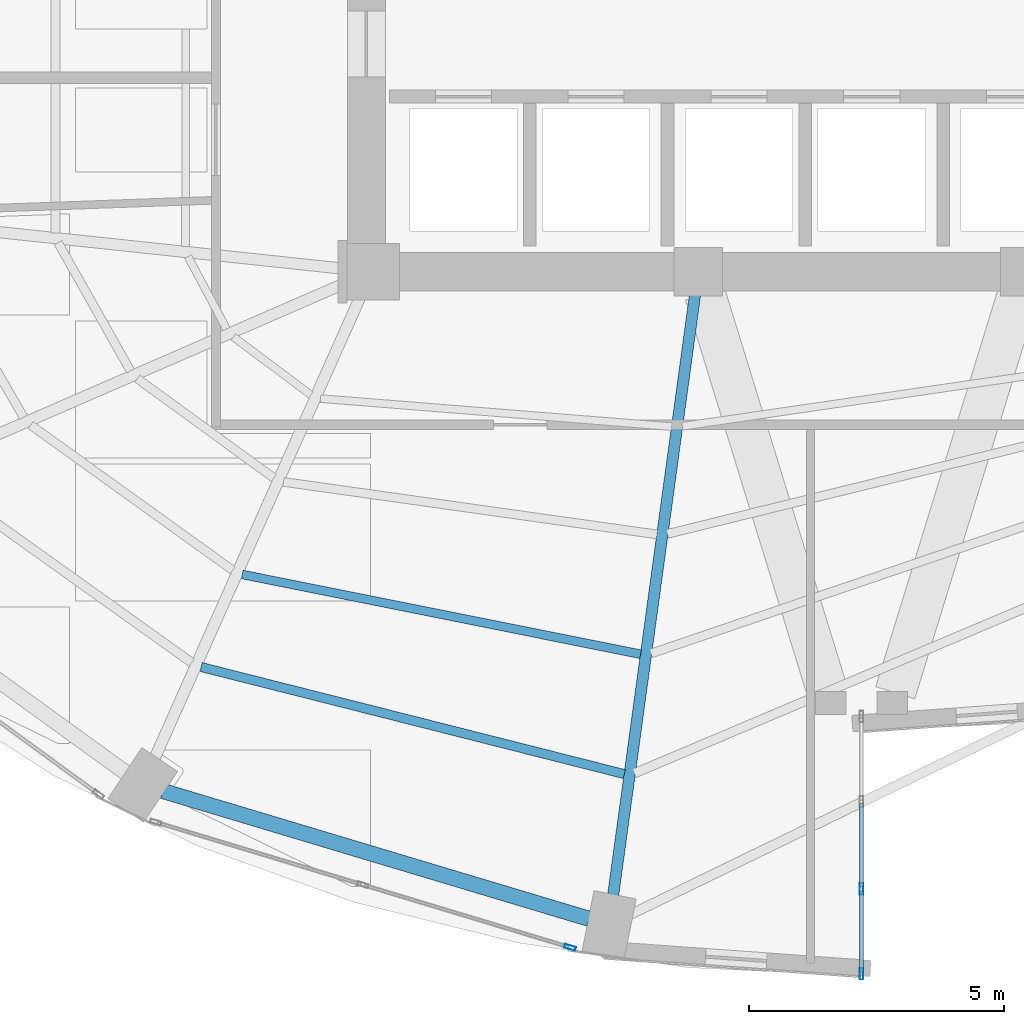
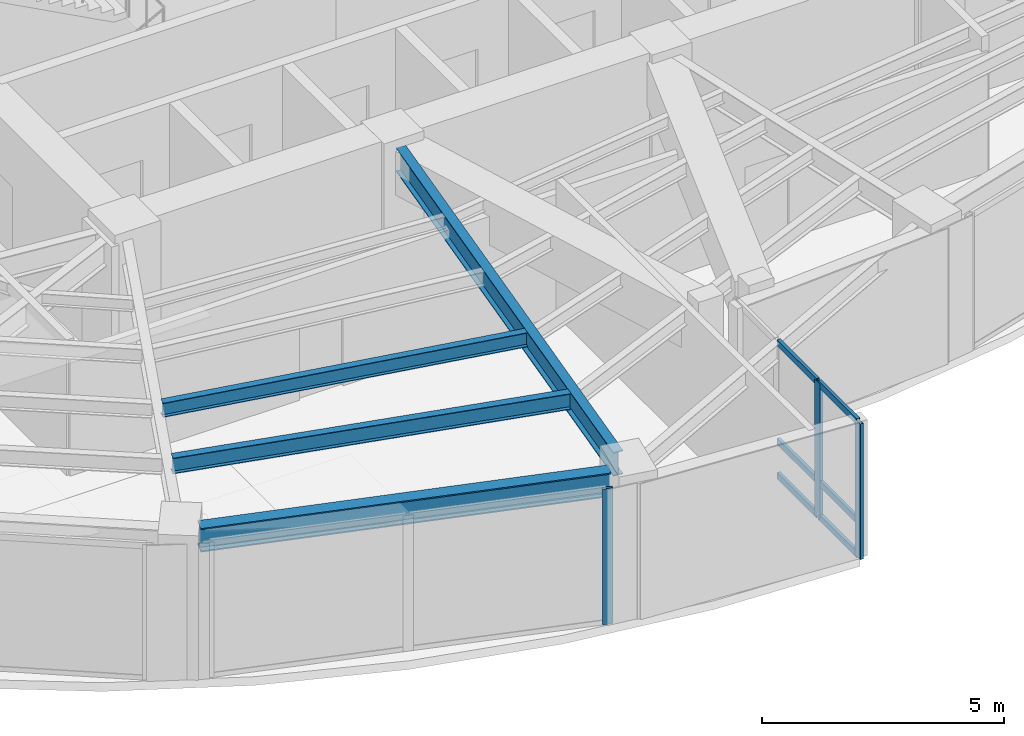
# One storey, part 5 of 24: 9 members, 4 beams, 2 elements without a shape of their own.
"""IFC4 building model written with IfcOpenShell, lengths in metres."""

import ifcopenshell
import ifcopenshell.guid

model = None  # the IFC model being written
_history = None  # IfcOwnerHistory: only IFC2X3 demands one
_inside = {}  # id of a spatial element -> (the spatial element, [elements in it])
_under = {}  # id of a project, library or spatial element -> (it, [spatial elements below it])
_declared = {}  # id of a project -> (the project, [libraries it declares])
_typed = {}  # id of a type object -> (the type object, [elements of that type])
_made_of = {}  # id of a material, layer set ... -> (it, [elements and type objects made of it])


def new_model(schema):
    """Start an empty IFC model of exactly this schema.

    Asked for "IFC4X3", IfcOpenShell would pick the latest addendum, in which some entities
    have other attributes; the version numbers below select the first issue.
    IFC2X3 requires an IfcOwnerHistory on every rooted entity: one is made here for all.
    """
    global model, _history
    if schema == "IFC4X3":
        model = ifcopenshell.file(schema_version=(4, 3, 0, 0))
    else:
        model = ifcopenshell.file(schema=schema)
    _inside.clear()
    _under.clear()
    _declared.clear()
    _typed.clear()
    _made_of.clear()
    _history = None
    if model.schema == "IFC2X3":
        org = make("IfcOrganization", Name="unknown")
        user = make(
            "IfcPersonAndOrganization",
            ThePerson=make("IfcPerson", FamilyName="unknown"),
            TheOrganization=org,
        )
        app = make(
            "IfcApplication",
            ApplicationDeveloper=org,
            Version="unknown",
            ApplicationFullName="unknown",
            ApplicationIdentifier="unknown",
        )
        _history = make(
            "IfcOwnerHistory",
            OwningUser=user,
            OwningApplication=app,
            ChangeAction="ADDED",
            CreationDate=0,
        )
    return model


def make(cls, **values):
    """One entity of the class cls with the attributes given. An attribute that is None is left unset."""
    return model.create_entity(
        cls, **{name: value for name, value in values.items() if value is not None}
    )


def rooted(cls, **values):
    """An entity with a GlobalId (a new one), such as an element, a storey or a relation."""
    return make(cls, GlobalId=ifcopenshell.guid.new(), OwnerHistory=_history, **values)


def si_unit(unit_type, name, prefix=None):
    """IfcSIUnit, for example si_unit("LENGTHUNIT", "METRE", prefix="MILLI")."""
    return make("IfcSIUnit", UnitType=unit_type, Prefix=prefix, Name=name)


def assignment(units):
    """IfcUnitAssignment: the units of a project."""
    return None if units is None else make("IfcUnitAssignment", Units=units)


def point(xyz):
    """IfcCartesianPoint."""
    return None if xyz is None else make("IfcCartesianPoint", Coordinates=xyz)


def direction(xyz):
    """IfcDirection."""
    return None if xyz is None else make("IfcDirection", DirectionRatios=xyz)


def frame(location, z_axis=None, x_axis=None):
    """IfcAxis2Placement3D, a coordinate frame: its origin and axes. An axis left out is left unset."""
    return make(
        "IfcAxis2Placement3D",
        Location=point(location),
        Axis=direction(z_axis),
        RefDirection=direction(x_axis),
    )


def frame_2d(location, x_axis=None):
    """IfcAxis2Placement2D, a coordinate frame in the plane: its origin and x axis."""
    return make(
        "IfcAxis2Placement2D", Location=point(location), RefDirection=direction(x_axis)
    )


def origin():
    """The frame at (0, 0, 0) with its axes left unset."""
    return frame((0.0, 0.0, 0.0))


def origin_2d():
    """The frame at (0, 0) in the plane with its x axis left unset."""
    return frame_2d((0.0, 0.0))


def place(relative_to, where):
    """IfcLocalPlacement: puts the frame where relative to a parent placement (None: the world)."""
    return make(
        "IfcLocalPlacement", PlacementRelTo=relative_to, RelativePlacement=where
    )


def context(
    kind, dimensions, precision=None, world=None, true_north=None, identifier=None
):
    """IfcGeometricRepresentationContext, for example the 3D "Model" context."""
    return make(
        "IfcGeometricRepresentationContext",
        ContextIdentifier=identifier,
        ContextType=kind,
        CoordinateSpaceDimension=dimensions,
        Precision=precision,
        WorldCoordinateSystem=world,
        TrueNorth=true_north,
    )


def subcontext(parent, identifier, kind, view, scale=None):
    """IfcGeometricRepresentationSubContext, for example "Body" below "Model"."""
    return make(
        "IfcGeometricRepresentationSubContext",
        ContextIdentifier=identifier,
        ContextType=kind,
        ParentContext=parent,
        TargetScale=scale,
        TargetView=view,
    )


def project(units=None, contexts=None):
    """IfcProject with its units and contexts."""
    return rooted(
        "IfcProject",
        Name="project",
        RepresentationContexts=contexts,
        UnitsInContext=assignment(units),
    )


def spatial(cls, under=None, at=None, **own):
    """A site, building, storey or space (cls), placed at a placement, below another one or the project."""
    s = rooted(cls, ObjectPlacement=at, **own)
    if under is not None:
        _under.setdefault(under.id(), (under, []))[1].append(s)
    return s


def profile(cls, at=None, kind="AREA", **sizes):
    """A parametric profile (cls). Its sizes go by their IFC names, for example OverallWidth=200.0."""
    return make(cls, ProfileType=kind, Position=at, **sizes)


def hollow_rectangle(**sizes):
    """IfcRectangleHollowProfileDef."""
    return profile("IfcRectangleHollowProfileDef", **sizes)


def i_section(**sizes):
    """IfcIShapeProfileDef."""
    return profile("IfcIShapeProfileDef", **sizes)


def extrude(swept, where, along, depth):
    """IfcExtrudedAreaSolid: the profile swept, set in the frame where, extruded along a direction by depth."""
    return make(
        "IfcExtrudedAreaSolid",
        SweptArea=swept,
        Position=where,
        ExtrudedDirection=direction(along),
        Depth=depth,
    )


def shape(context_of_items, identifier, shape_type, items):
    """IfcShapeRepresentation: the items that make up one representation, for example the "Body"."""
    return make(
        "IfcShapeRepresentation",
        ContextOfItems=context_of_items,
        RepresentationIdentifier=identifier,
        RepresentationType=shape_type,
        Items=items,
    )


def material(Name=None, Category=None):
    """IfcMaterial."""
    return make("IfcMaterial", Name=Name, Category=Category)


def layer(
    of_material, thickness, ventilated=None, Name=None, Category=None, Priority=None
):
    """IfcMaterialLayer: one layer of a wall or slab, of a material (None: an air gap)."""
    return make(
        "IfcMaterialLayer",
        Material=of_material,
        LayerThickness=thickness,
        IsVentilated=ventilated,
        Name=Name,
        Category=Category,
        Priority=Priority,
    )


def layer_set(layers, Name=None):
    """IfcMaterialLayerSet."""
    return make("IfcMaterialLayerSet", MaterialLayers=layers, LayerSetName=Name)


def material_profile(
    of_material, cross_section, Name=None, Category=None, Priority=None
):
    """IfcMaterialProfile: a cross section and its material."""
    return make(
        "IfcMaterialProfile",
        Name=Name,
        Material=of_material,
        Profile=cross_section,
        Priority=Priority,
        Category=Category,
    )


def profile_set(profiles, Name=None, composite=None):
    """IfcMaterialProfileSet."""
    return make(
        "IfcMaterialProfileSet",
        Name=Name,
        MaterialProfiles=profiles,
        CompositeProfile=composite,
    )


def made_of(thing, what):
    """Note that an element or type object is made of a material, layer set ...; save() writes the relation."""
    if what is not None:
        _made_of.setdefault(what.id(), (what, []))[1].append(thing)
    return thing


def type_object(cls, material=None, **own):
    """A type object (cls), such as IfcWallType, which elements share."""
    return made_of(rooted(cls, **own), material)


def element(
    cls,
    number,
    at=None,
    inside=None,
    cuts=None,
    type_object=None,
    material=None,
    context=None,
    identifier="Body",
    shape_type=None,
    held_by="IfcProductDefinitionShape",
    body=None,
    shapes=None,
    **own,
):
    """One element of the class cls, such as IfcWall. Its Tag is "e" and its number.

    at: its placement. inside: the storey or other place that contains it. cuts: it is an
    opening in that element (IfcRelVoidsElement). A single representation is given by context,
    identifier, shape_type and body (its items); several are given by shapes. held_by: the class
    of the entity that holds the representations. save() writes the other relations.
    """
    e = rooted(cls, Tag="e%d" % number, ObjectPlacement=at, **own)
    if body is not None:
        shapes = [shape(context, identifier, shape_type, body)]
    if shapes is not None:
        e.Representation = make(held_by, Representations=shapes)
    if inside is not None:
        _inside.setdefault(inside.id(), (inside, []))[1].append(e)
    if cuts is not None:
        rooted(
            "IfcRelVoidsElement", RelatingBuildingElement=cuts, RelatedOpeningElement=e
        )
    if type_object is not None:
        _typed.setdefault(type_object.id(), (type_object, []))[1].append(e)
    return made_of(e, material)


def aggregate(whole, parts):
    """IfcRelAggregates: a whole, such as a stair, and the parts it consists of."""
    return rooted("IfcRelAggregates", RelatingObject=whole, RelatedObjects=parts)


def save(model, path):
    """Write the relations noted so far, then the file.

    IfcRelAggregates (storeys below a building ...), IfcRelContainedInSpatialStructure (elements
    in a storey), IfcRelDefinesByType, IfcRelAssociatesMaterial and IfcRelDeclares: one each for
    every whole, place, type object, material and project.
    """
    for whole, parts in _under.values():
        aggregate(whole, parts)
    for where, things in _inside.values():
        rooted(
            "IfcRelContainedInSpatialStructure",
            RelatedElements=things,
            RelatingStructure=where,
        )
    for kind, things in _typed.values():
        rooted("IfcRelDefinesByType", RelatedObjects=things, RelatingType=kind)
    for what, things in _made_of.values():
        rooted("IfcRelAssociatesMaterial", RelatedObjects=things, RelatingMaterial=what)
    for by, libraries in _declared.values():
        rooted("IfcRelDeclares", RelatingContext=by, RelatedDefinitions=libraries)
    model.write(path)


model = new_model("IFC4")

# Units and contexts
model_context = context("Model", 3, precision=1e-05, world=origin(), true_north=direction((0.0, 1.0)))
body_context = subcontext(model_context, "Body", "Model", "MODEL_VIEW")
ifc_project = project(units=[si_unit("LENGTHUNIT", "METRE"), si_unit("AREAUNIT", "SQUARE_METRE"), si_unit("VOLUMEUNIT", "CUBIC_METRE"), si_unit("PLANEANGLEUNIT", "RADIAN"), si_unit("MASSUNIT", "GRAM", prefix="KILO")], contexts=[model_context])

# Site, building, storey
site_placement = place(None, origin())
site = spatial("IfcSite", under=ifc_project, at=site_placement, CompositionType="ELEMENT")
building_placement = place(site_placement, origin())
building = spatial("IfcBuilding", under=site, at=building_placement, Name="Lazwardi Medical Tower", CompositionType="ELEMENT")
storey_placement = place(building_placement, frame((0.0, 0.0, 99.98388671875)))
storey = spatial("IfcBuildingStorey", under=building, at=storey_placement, Name="L25", CompositionType="ELEMENT", Elevation=99.98388671875)

# Beams
ifc_material_1 = material(Name="Steel S355", Category="steel")
ifc_material_profile_1 = material_profile(ifc_material_1, i_section(OverallWidth=0.300048828125, OverallDepth=0.60009765625, WebThickness=0.015380859375, FlangeThickness=0.030029296875, at=origin_2d()), Name="HEB 600")
ifc_profile_set_1 = profile_set([ifc_material_profile_1], Name="Steel S355")
beam_type_1 = type_object("IfcBeamType", Name="BM-RB-Z2", PredefinedType="BEAM", material=ifc_profile_set_1)
beam_1_placement = place(storey_placement, frame((22.30908203125, 10.224609375, 3.128173828125), z_axis=(0.957879438442, -0.287170648587, 0.0), x_axis=(0.287170648587, 0.957879438442, 0.0)))
element("IfcBeam", 1, at=beam_1_placement, inside=storey, type_object=beam_type_1, Name="Ring beam RB-03 B15 L25", PredefinedType="BEAM", context=body_context, shape_type="SweptSolid", body=[
    extrude(i_section(OverallWidth=0.300048828125, OverallDepth=0.60009765625, WebThickness=0.015380859375, FlangeThickness=0.030029296875, at=origin_2d()), origin(), (0.0, 0.0, 1.0), 8.719970703125),
])
ifc_material_profile_2 = material_profile(ifc_material_1, i_section(OverallWidth=0.219970703125, OverallDepth=0.60009765625, WebThickness=0.011962890625, FlangeThickness=0.01904296875, at=origin_2d()), Name="IPE 600")
ifc_profile_set_2 = profile_set([ifc_material_profile_2], Name="Steel S355")
beam_type_2 = type_object("IfcBeamType", Name="BM-RG-W1", PredefinedType="BEAM", material=ifc_profile_set_2)
beam_2_placement = place(storey_placement, frame((31.1328125, 8.17724609375, 3.128173828125), z_axis=(0.135147148002, 0.990825538825, 0.0), x_axis=(-0.990825538825, 0.135147148002, 0.0)))
element("IfcBeam", 2, at=beam_2_placement, inside=storey, type_object=beam_type_2, Name="Radial girder RG-02 R16 L25", PredefinedType="BEAM", context=body_context, shape_type="SweptSolid", body=[
    extrude(i_section(OverallWidth=0.219970703125, OverallDepth=0.60009765625, WebThickness=0.011962890625, FlangeThickness=0.01904296875, at=origin_2d()), origin(), (0.0, 0.0, 1.0), 11.875732421875),
])
ifc_material_profile_3 = material_profile(ifc_material_1, i_section(OverallWidth=0.179931640625, OverallDepth=0.39990234375, WebThickness=0.008544921875, FlangeThickness=0.013427734375, at=origin_2d()), Name="IPE 400")
ifc_profile_set_3 = profile_set([ifc_material_profile_3], Name="Steel S355")
beam_type_3 = type_object("IfcBeamType", Name="BM-SJ-01", PredefinedType="JOIST", material=ifc_profile_set_3)
beam_3_placement = place(storey_placement, frame((23.060302734375, 12.654296875, 3.22802734375), z_axis=(0.96945186753, -0.245281626997, 0.0), x_axis=(0.245281626997, 0.96945186753, 0.0)))
element("IfcBeam", 3, at=beam_3_placement, inside=storey, type_object=beam_type_3, Name="Secondary joist SJ-01 R1 B15 L25", PredefinedType="JOIST", context=body_context, shape_type="SweptSolid", body=[
    extrude(i_section(OverallWidth=0.179931640625, OverallDepth=0.39990234375, WebThickness=0.008544921875, FlangeThickness=0.013427734375, at=origin_2d()), origin(), (0.0, 0.0, 1.0), 8.552978515625),
])
ifc_material_profile_4 = material_profile(ifc_material_1, i_section(OverallWidth=0.169921875, OverallDepth=0.360107421875, WebThickness=0.008056640625, FlangeThickness=0.0126953125, at=origin_2d()), Name="IPE 360")
ifc_profile_set_4 = profile_set([ifc_material_profile_4], Name="Steel S355")
beam_type_4 = type_object("IfcBeamType", Name="BM-SJ-02", PredefinedType="JOIST", material=ifc_profile_set_4)
beam_4_placement = place(storey_placement, frame((23.8671875, 14.46728515625, 3.248046875), z_axis=(0.980542906584, -0.196304886203, 0.0), x_axis=(0.196304886203, 0.980542906584, 0.0)))
element("IfcBeam", 4, at=beam_4_placement, inside=storey, type_object=beam_type_4, Name="Secondary joist SJ-02 R2 B15 L25", PredefinedType="JOIST", context=body_context, shape_type="SweptSolid", body=[
    extrude(i_section(OverallWidth=0.169921875, OverallDepth=0.360107421875, WebThickness=0.008056640625, FlangeThickness=0.0126953125, at=origin_2d()), origin(), (0.0, 0.0, 1.0), 7.95947265625),
])

# Curtain wall, member
ifc_material_2 = material(Name="Anodised bronze aluminium and solar control glazing", Category="aluminium")
ifc_layer_1 = layer(ifc_material_2, 0.195068359375)
ifc_layer_set_1 = layer_set([ifc_layer_1], Name="Anodised bronze aluminium and solar control glazing")
curtain_wall_type_1 = type_object("IfcCurtainWallType", Name="CW-SYS-03", PredefinedType="NOTDEFINED", material=ifc_layer_set_1)
curtain_wall_1_placement = place(storey_placement, origin())
curtain_wall_1 = element("IfcCurtainWall", 5, at=curtain_wall_1_placement, inside=storey, type_object=curtain_wall_type_1, Name="L25 Unitised bronze curtain wall CW-03", PredefinedType="NOTDEFINED")
ifc_material_3 = material(Name="Anodised bronze aluminium", Category="aluminium")
ifc_material_profile_5 = material_profile(ifc_material_3, hollow_rectangle(XDim=0.074951171875, YDim=0.219970703125, WallThickness=0.00390625, at=origin_2d()), Name="ALU-MULLION 220x75x4")
ifc_profile_set_5 = profile_set([ifc_material_profile_5], Name="Anodised bronze aluminium")
member_type_1 = type_object("IfcMemberType", Name="CW-MUL-01", PredefinedType="MULLION", material=ifc_profile_set_5)
member_1_placement = place(storey_placement, frame((30.289794921875, 7.159912109375, 0.0), z_axis=(0.0, 0.0, 1.0), x_axis=(0.28937381157, 0.957216170558, 0.0)))
member_1 = element("IfcMember", 6, at=member_1_placement, type_object=member_type_1, Name="CW-03 mullion 3", PredefinedType="MULLION", context=body_context, shape_type="SweptSolid", body=[
    extrude(hollow_rectangle(XDim=0.074951171875, YDim=0.219970703125, WallThickness=0.00390625, at=origin_2d()), origin(), (0.0, 0.0, 1.0), 3.42822265625),
])
aggregate(curtain_wall_1, [member_1])

# Curtain wall, members
ifc_layer_2 = layer(ifc_material_2, 0.2099609375)
ifc_layer_set_2 = layer_set([ifc_layer_2], Name="Anodised bronze aluminium and solar control glazing")
curtain_wall_type_2 = type_object("IfcCurtainWallType", Name="CW-SYS-06", PredefinedType="NOTDEFINED", material=ifc_layer_set_2)
curtain_wall_2_placement = place(storey_placement, origin())
curtain_wall_2 = element("IfcCurtainWall", 7, at=curtain_wall_2_placement, inside=storey, type_object=curtain_wall_type_2, Name="L25 Unitised bronze curtain wall CW-06", PredefinedType="NOTDEFINED")
member_2_placement = place(storey_placement, frame((36.0, 6.637451171875, 0.0), z_axis=(0.0, 0.0, 1.0), x_axis=(-1.0, 0.0, 0.0)))
member_2 = element("IfcMember", 8, at=member_2_placement, type_object=member_type_1, Name="CW-06 mullion 1", PredefinedType="MULLION", context=body_context, shape_type="SweptSolid", body=[
    extrude(hollow_rectangle(XDim=0.074951171875, YDim=0.219970703125, WallThickness=0.00390625, at=origin_2d()), origin(), (0.0, 0.0, 1.0), 3.42822265625),
])
member_3_placement = place(storey_placement, frame((36.0, 8.306640625, 0.0), z_axis=(0.0, 0.0, 1.0), x_axis=(-1.0, 0.0, 0.0)))
member_3 = element("IfcMember", 9, at=member_3_placement, type_object=member_type_1, Name="CW-06 mullion 2", PredefinedType="MULLION", context=body_context, shape_type="SweptSolid", body=[
    extrude(hollow_rectangle(XDim=0.074951171875, YDim=0.219970703125, WallThickness=0.00390625, at=origin_2d()), origin(), (0.0, 0.0, 1.0), 3.42822265625),
])
ifc_material_profile_6 = material_profile(ifc_material_3, hollow_rectangle(XDim=0.074951171875, YDim=0.159912109375, WallThickness=0.00390625, at=origin_2d()), Name="ALU-TRANSOM 160x75x4")
ifc_profile_set_6 = profile_set([ifc_material_profile_6], Name="Anodised bronze aluminium")
member_type_2 = type_object("IfcMemberType", Name="CW-TRN-01", PredefinedType="USERDEFINED", material=ifc_profile_set_6)
member_4_placement = place(storey_placement, frame((36.0, 6.675048828125, 0.03759765625), z_axis=(0.0, 1.0, 0.0), x_axis=(-1.0, 0.0, 0.0)))
member_4 = element("IfcMember", 10, at=member_4_placement, type_object=member_type_2, Name="CW-06 transom 1.1", ObjectType="TRANSOM", PredefinedType="USERDEFINED", context=body_context, shape_type="SweptSolid", body=[
    extrude(hollow_rectangle(XDim=0.074951171875, YDim=0.159912109375, WallThickness=0.00390625, at=origin_2d()), origin(), (0.0, 0.0, 1.0), 1.59423828125),
])
member_5_placement = place(storey_placement, frame((36.0, 6.675048828125, 0.900146484375), z_axis=(0.0, 1.0, 0.0), x_axis=(-1.0, 0.0, 0.0)))
member_5 = element("IfcMember", 11, at=member_5_placement, type_object=member_type_2, Name="CW-06 transom 1.2", ObjectType="TRANSOM", PredefinedType="USERDEFINED", context=body_context, shape_type="SweptSolid", body=[
    extrude(hollow_rectangle(XDim=0.074951171875, YDim=0.159912109375, WallThickness=0.00390625, at=origin_2d()), origin(), (0.0, 0.0, 1.0), 1.59423828125),
])
member_6_placement = place(storey_placement, frame((36.0, 6.675048828125, 3.390625), z_axis=(0.0, 1.0, 0.0), x_axis=(-1.0, 0.0, 0.0)))
member_6 = element("IfcMember", 12, at=member_6_placement, type_object=member_type_2, Name="CW-06 transom 1.3", ObjectType="TRANSOM", PredefinedType="USERDEFINED", context=body_context, shape_type="SweptSolid", body=[
    extrude(hollow_rectangle(XDim=0.074951171875, YDim=0.159912109375, WallThickness=0.00390625, at=origin_2d()), origin(), (0.0, 0.0, 1.0), 1.59423828125),
])
member_7_placement = place(storey_placement, frame((36.0, 8.34423828125, 0.03759765625), z_axis=(0.0, 1.0, 0.0), x_axis=(-1.0, 0.0, 0.0)))
member_7 = element("IfcMember", 13, at=member_7_placement, type_object=member_type_2, Name="CW-06 transom 2.1", ObjectType="TRANSOM", PredefinedType="USERDEFINED", context=body_context, shape_type="SweptSolid", body=[
    extrude(hollow_rectangle(XDim=0.074951171875, YDim=0.159912109375, WallThickness=0.00390625, at=origin_2d()), origin(), (0.0, 0.0, 1.0), 1.631591796875),
])
member_8_placement = place(storey_placement, frame((36.0, 8.34423828125, 0.900146484375), z_axis=(0.0, 1.0, 0.0), x_axis=(-1.0, 0.0, 0.0)))
member_8 = element("IfcMember", 14, at=member_8_placement, type_object=member_type_2, Name="CW-06 transom 2.2", ObjectType="TRANSOM", PredefinedType="USERDEFINED", context=body_context, shape_type="SweptSolid", body=[
    extrude(hollow_rectangle(XDim=0.074951171875, YDim=0.159912109375, WallThickness=0.00390625, at=origin_2d()), origin(), (0.0, 0.0, 1.0), 1.631591796875),
])
member_9_placement = place(storey_placement, frame((36.0, 8.34423828125, 3.390625), z_axis=(0.0, 1.0, 0.0), x_axis=(-1.0, 0.0, 0.0)))
member_9 = element("IfcMember", 15, at=member_9_placement, type_object=member_type_2, Name="CW-06 transom 2.3", ObjectType="TRANSOM", PredefinedType="USERDEFINED", context=body_context, shape_type="SweptSolid", body=[
    extrude(hollow_rectangle(XDim=0.074951171875, YDim=0.159912109375, WallThickness=0.00390625, at=origin_2d()), origin(), (0.0, 0.0, 1.0), 1.631591796875),
])
aggregate(curtain_wall_2, [member_2, member_3, member_4, member_5, member_6, member_7, member_8, member_9])

save(model, "model.ifc")
